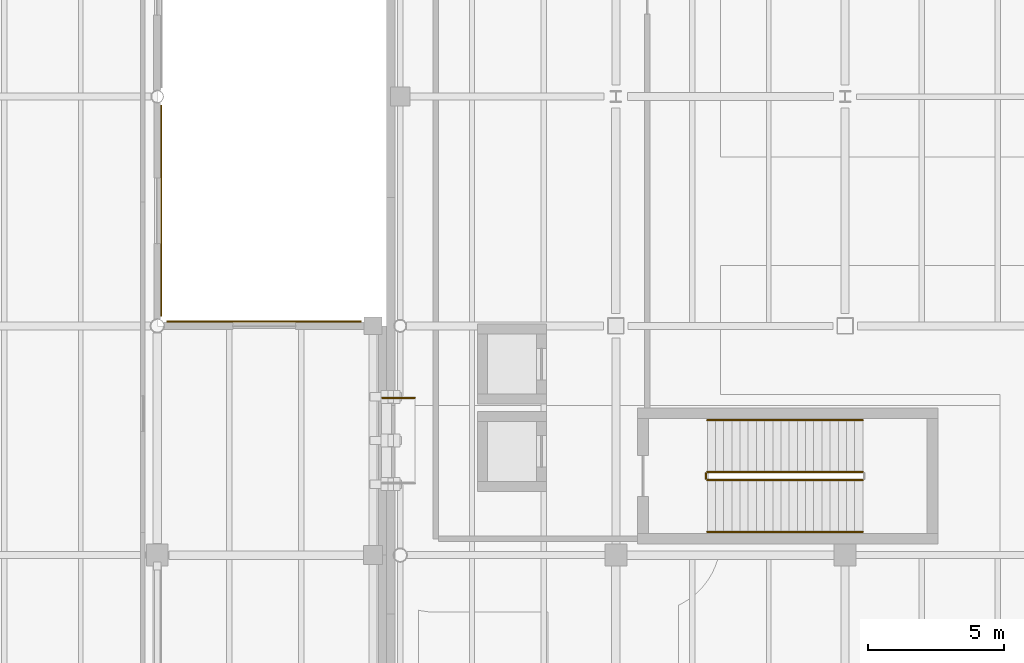
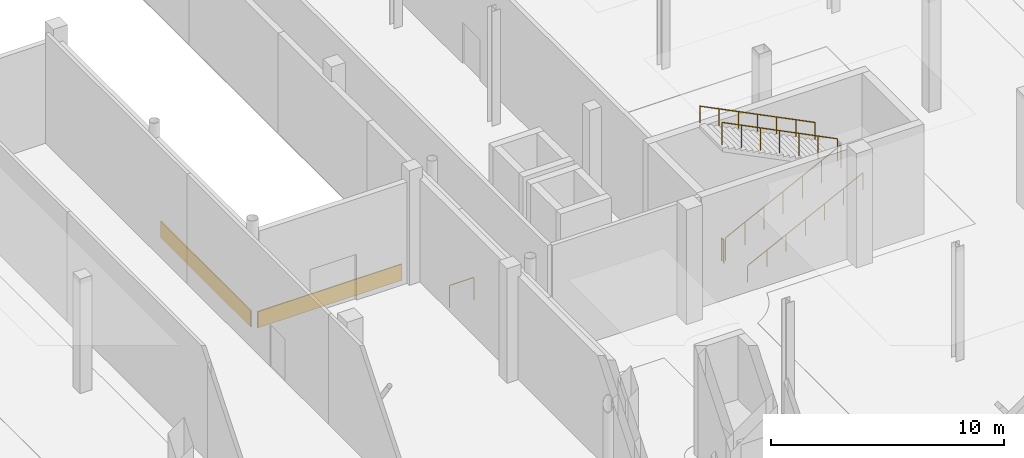
# One storey, part 78 of 85: 6 railings, 2 coverings.
"""IFC4 building model written with IfcOpenShell, lengths in metres."""

from ifc_helpers import new_model, si_unit, direction, frame, origin, origin_2d, place, context, subcontext, project, spatial, rectangle, circle, extrude, material, layer, layer_set, type_object, element, save


model = new_model("IFC4")

# Units and contexts
model_context = context("Model", 3, precision=1e-05, world=origin(), true_north=direction((0.0, 1.0)))
body_context = subcontext(model_context, "Body", "Model", "MODEL_VIEW")
ifc_project = project(units=[si_unit("LENGTHUNIT", "METRE"), si_unit("AREAUNIT", "SQUARE_METRE"), si_unit("VOLUMEUNIT", "CUBIC_METRE"), si_unit("PLANEANGLEUNIT", "RADIAN"), si_unit("MASSUNIT", "GRAM", prefix="KILO"), si_unit("THERMODYNAMICTEMPERATUREUNIT", "KELVIN")], contexts=[model_context])

# Site, building, storey
site_placement = place(None, origin())
site = spatial("IfcSite", under=ifc_project, at=site_placement, CompositionType="ELEMENT")
building_placement = place(site_placement, origin())
building = spatial("IfcBuilding", under=site, at=building_placement, Name="Lustrewick Department Store", CompositionType="ELEMENT")
storey_placement = place(building_placement, origin())
storey = spatial("IfcBuildingStorey", under=building, at=storey_placement, Name="L01", CompositionType="ELEMENT", Elevation=0.0)

# Coverings
ifc_material_1 = material(Name="Rusticated Fangshan cream limestone", Category="masonry")
ifc_layer = layer(ifc_material_1, 0.050048828125, Name="Rusticated Fangshan cream limestone")
ifc_layer_set = layer_set([ifc_layer], Name="Rusticated Fangshan cream limestone")
covering_type = type_object("IfcCoveringType", Name="CLD-LIME", PredefinedType="CLADDING", material=ifc_layer_set)
covering_1_placement = place(storey_placement, frame((104.714599609375, 84.1650390625, 0.02490234375), z_axis=(0.0, 0.0, 1.0), x_axis=(-1.0, 0.0, 0.0)))
element("IfcCovering", 1, at=covering_1_placement, inside=storey, type_object=covering_type, Name="L01 Limestone Plinth Band 026", PredefinedType="CLADDING", context=body_context, shape_type="SweptSolid", body=[
    extrude(rectangle(XDim=7.131103515625, YDim=0.050048828125, at=origin_2d()), origin(), (0.0, 0.0, 1.0), 0.85009765625),
])
covering_2_placement = place(storey_placement, frame((100.945068359375, 88.212646484375, 0.02490234375), z_axis=(0.0, 0.0, 1.0), x_axis=(0.0, 1.0, 0.0)))
element("IfcCovering", 2, at=covering_2_placement, inside=storey, type_object=covering_type, Name="L01 Limestone Plinth Band 027", PredefinedType="CLADDING", context=body_context, shape_type="SweptSolid", body=[
    extrude(rectangle(XDim=7.7275390625, YDim=0.050048828125, at=origin_2d()), origin(), (0.0, 0.0, 1.0), 0.85009765625),
])

# Railings
ifc_material_2 = material(Name="Laminated safety glass and bronze atrium balustrade", Category="glass")
railing_type_1 = type_object("IfcRailingType", Name="RL-BAL", PredefinedType="BALUSTRADE", material=ifc_material_2)
railing_1_placement = place(storey_placement, frame((109.0400390625, 81.360107421875, 0.0)))
element("IfcRailing", 3, at=railing_1_placement, inside=storey, type_object=railing_type_1, Name="L01 Skybridge SB24 North Guard 0010", PredefinedType="BALUSTRADE", context=body_context, shape_type="SweptSolid", body=[
    extrude(circle(Radius=0.02392578125, at=origin_2d()), frame((0.0, 0.0, 1.17578125), z_axis=(1.0, 0.0, 0.0), x_axis=(0.0, 1.0, 0.0)), (0.0, 0.0, 1.0), 1.18994140625),
    extrude(circle(Radius=0.02099609375, at=origin_2d()), origin(), (0.0, 0.0, 1.0), 1.15185546875),
    extrude(circle(Radius=0.02099609375, at=origin_2d()), frame((1.18994140625, 0.0, 0.0)), (0.0, 0.0, 1.0), 1.15185546875),
])
ifc_material_3 = material(Name="Painted tubular steel stairwell guardrail", Category="steel")
railing_type_2 = type_object("IfcRailingType", Name="RL-STG", PredefinedType="GUARDRAIL", material=ifc_material_3)
railing_2_placement = place(storey_placement, frame((120.949951171875, 78.35009765625, 0.14990234375)))
element("IfcRailing", 4, at=railing_2_placement, inside=storey, type_object=railing_type_2, Name="L01 ST10 Stair Guard 1", PredefinedType="GUARDRAIL", context=body_context, shape_type="SweptSolid", body=[
    extrude(circle(Radius=0.02392578125, at=origin_2d()), frame((0.0, 0.0, 1.17578125), z_axis=(0.894419528903, 0.0, 0.447228919365), x_axis=(0.0, 1.0, 0.0)), (0.0, 0.0, 1.0), 6.372802734375),
    extrude(circle(Radius=0.02099609375, at=origin_2d()), origin(), (0.0, 0.0, 1.0), 1.15185546875),
    extrude(circle(Radius=0.02099609375, at=origin_2d()), frame((0.949951171875, 0.0, 0.47509765625)), (0.0, 0.0, 1.0), 1.15185546875),
    extrude(circle(Radius=0.02099609375, at=origin_2d()), frame((1.89990234375, 0.0, 0.949951171875)), (0.0, 0.0, 1.0), 1.15185546875),
    extrude(circle(Radius=0.02099609375, at=origin_2d()), frame((2.85009765625, 0.0, 1.425048828125)), (0.0, 0.0, 1.0), 1.15185546875),
    extrude(circle(Radius=0.02099609375, at=origin_2d()), frame((3.800048828125, 0.0, 1.900146484375)), (0.0, 0.0, 1.0), 1.15185546875),
    extrude(circle(Radius=0.02099609375, at=origin_2d()), frame((4.75, 0.0, 2.375)), (0.0, 0.0, 1.0), 1.15185546875),
    extrude(circle(Radius=0.02099609375, at=origin_2d()), frame((5.699951171875, 0.0, 2.85009765625)), (0.0, 0.0, 1.0), 1.15185546875),
])
railing_3_placement = place(storey_placement, frame((126.64990234375, 78.64990234375, 3.14990234375)))
element("IfcRailing", 5, at=railing_3_placement, inside=storey, type_object=railing_type_2, Name="L01 ST10 Stair Guard 3", PredefinedType="GUARDRAIL", context=body_context, shape_type="SweptSolid", body=[
    extrude(circle(Radius=0.02392578125, at=origin_2d()), frame((0.0, 0.0, 1.17578125), z_axis=(-0.894419528903, 0.0, 0.447228919365), x_axis=(0.0, -1.0, 0.0)), (0.0, 0.0, 1.0), 6.372802734375),
    extrude(circle(Radius=0.02099609375, at=origin_2d()), origin(), (0.0, 0.0, 1.0), 1.15185546875),
    extrude(circle(Radius=0.02099609375, at=origin_2d()), frame((-0.949951171875, 0.0, 0.47509765625)), (0.0, 0.0, 1.0), 1.15185546875),
    extrude(circle(Radius=0.02099609375, at=origin_2d()), frame((-1.89990234375, 0.0, 0.949951171875)), (0.0, 0.0, 1.0), 1.15185546875),
    extrude(circle(Radius=0.02099609375, at=origin_2d()), frame((-2.85009765625, 0.0, 1.425048828125)), (0.0, 0.0, 1.0), 1.15185546875),
    extrude(circle(Radius=0.02099609375, at=origin_2d()), frame((-3.800048828125, 0.0, 1.900146484375)), (0.0, 0.0, 1.0), 1.15185546875),
    extrude(circle(Radius=0.02099609375, at=origin_2d()), frame((-4.75, 0.0, 2.375)), (0.0, 0.0, 1.0), 1.15185546875),
    extrude(circle(Radius=0.02099609375, at=origin_2d()), frame((-5.699951171875, 0.0, 2.85009765625)), (0.0, 0.0, 1.0), 1.15185546875),
])
railing_4_placement = place(storey_placement, frame((120.89990234375, 78.39990234375, 0.0)))
element("IfcRailing", 6, at=railing_4_placement, inside=storey, type_object=railing_type_2, Name="L01 ST10 Stair Guard 4", PredefinedType="GUARDRAIL", context=body_context, shape_type="SweptSolid", body=[
    extrude(circle(Radius=0.02392578125, at=origin_2d()), frame((0.0, 0.0, 1.17578125), z_axis=(0.0, 1.0, 0.0), x_axis=(-1.0, 0.0, 0.0)), (0.0, 0.0, 1.0), 0.2001953125),
    extrude(circle(Radius=0.02099609375, at=origin_2d()), origin(), (0.0, 0.0, 1.0), 1.15185546875),
    extrude(circle(Radius=0.02099609375, at=origin_2d()), frame((0.0, 0.2001953125, 0.0)), (0.0, 0.0, 1.0), 1.15185546875),
])
ifc_material_4 = material(Name="Brushed stainless steel wall handrail", Category="steel")
railing_type_3 = type_object("IfcRailingType", Name="RL-STH", PredefinedType="HANDRAIL", material=ifc_material_4)
railing_5_placement = place(storey_placement, frame((120.949951171875, 76.449951171875, 0.14990234375)))
element("IfcRailing", 7, at=railing_5_placement, inside=storey, type_object=railing_type_3, Name="L01 ST10 Stair Handrail 1", PredefinedType="HANDRAIL", context=body_context, shape_type="SweptSolid", body=[
    extrude(circle(Radius=0.02392578125, at=origin_2d()), frame((0.0, 0.0, 0.8759765625), z_axis=(0.894419528903, 0.0, 0.447228919365), x_axis=(0.0, 1.0, 0.0)), (0.0, 0.0, 1.0), 6.372802734375),
    extrude(circle(Radius=0.02099609375, at=origin_2d()), origin(), (0.0, 0.0, 1.0), 0.851806640625),
    extrude(circle(Radius=0.02099609375, at=origin_2d()), frame((0.949951171875, 0.0, 0.47509765625)), (0.0, 0.0, 1.0), 0.851806640625),
    extrude(circle(Radius=0.02099609375, at=origin_2d()), frame((1.89990234375, 0.0, 0.949951171875)), (0.0, 0.0, 1.0), 0.851806640625),
    extrude(circle(Radius=0.02099609375, at=origin_2d()), frame((2.85009765625, 0.0, 1.425048828125)), (0.0, 0.0, 1.0), 0.851806640625),
    extrude(circle(Radius=0.02099609375, at=origin_2d()), frame((3.800048828125, 0.0, 1.900146484375)), (0.0, 0.0, 1.0), 0.851806640625),
    extrude(circle(Radius=0.02099609375, at=origin_2d()), frame((4.75, 0.0, 2.375)), (0.0, 0.0, 1.0), 0.851806640625),
    extrude(circle(Radius=0.02099609375, at=origin_2d()), frame((5.699951171875, 0.0, 2.85009765625)), (0.0, 0.0, 1.0), 0.851806640625),
])
railing_6_placement = place(storey_placement, frame((126.64990234375, 80.550048828125, 3.14990234375)))
element("IfcRailing", 8, at=railing_6_placement, inside=storey, type_object=railing_type_3, Name="L01 ST10 Stair Handrail 2", PredefinedType="HANDRAIL", context=body_context, shape_type="SweptSolid", body=[
    extrude(circle(Radius=0.02392578125, at=origin_2d()), frame((0.0, 0.0, 0.8759765625), z_axis=(-0.894419528903, 0.0, 0.447228919365), x_axis=(0.0, -1.0, 0.0)), (0.0, 0.0, 1.0), 6.372802734375),
    extrude(circle(Radius=0.02099609375, at=origin_2d()), origin(), (0.0, 0.0, 1.0), 0.851806640625),
    extrude(circle(Radius=0.02099609375, at=origin_2d()), frame((-0.949951171875, 0.0, 0.47509765625)), (0.0, 0.0, 1.0), 0.851806640625),
    extrude(circle(Radius=0.02099609375, at=origin_2d()), frame((-1.89990234375, 0.0, 0.949951171875)), (0.0, 0.0, 1.0), 0.851806640625),
    extrude(circle(Radius=0.02099609375, at=origin_2d()), frame((-2.85009765625, 0.0, 1.425048828125)), (0.0, 0.0, 1.0), 0.851806640625),
    extrude(circle(Radius=0.02099609375, at=origin_2d()), frame((-3.800048828125, 0.0, 1.900146484375)), (0.0, 0.0, 1.0), 0.851806640625),
    extrude(circle(Radius=0.02099609375, at=origin_2d()), frame((-4.75, 0.0, 2.375)), (0.0, 0.0, 1.0), 0.851806640625),
    extrude(circle(Radius=0.02099609375, at=origin_2d()), frame((-5.699951171875, 0.0, 2.85009765625)), (0.0, 0.0, 1.0), 0.851806640625),
])

save(model, "model.ifc")
